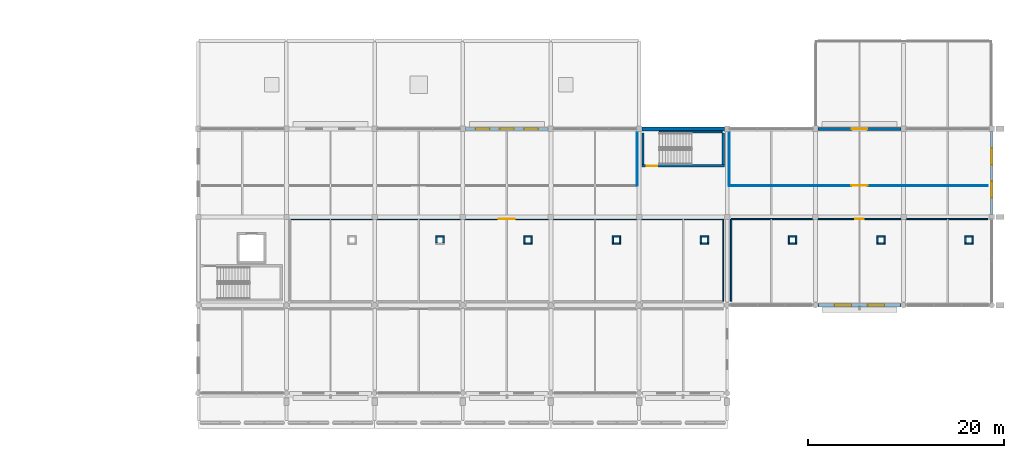
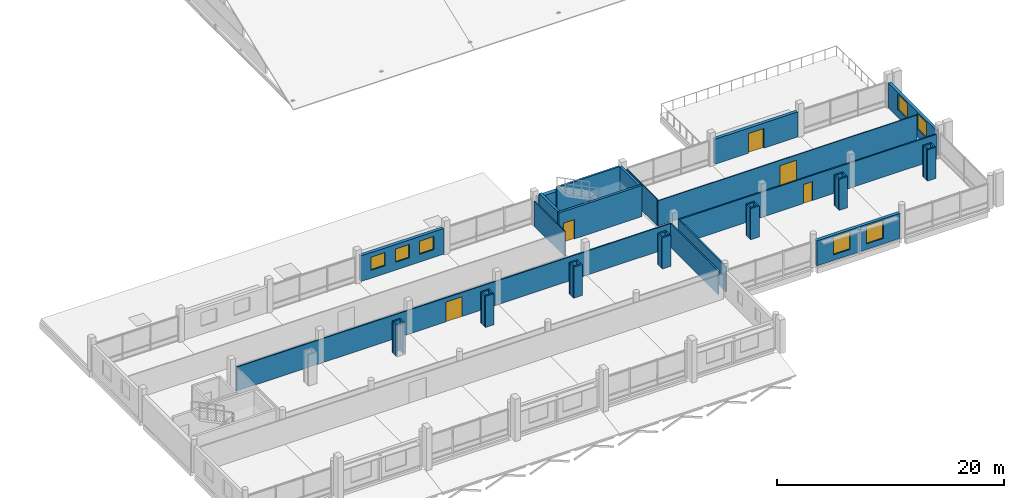
# One storey, part 111 of 132: 43 walls, 7 windows, 5 doors, 12 openings.
"""IFC4 building model written with IfcOpenShell, lengths in metres."""

from ifc_helpers import new_model, si_unit, direction, frame, frame_2d, origin, place, context, subcontext, project, spatial, rectangle, extrude, material, layer, layer_set, type_object, element, fill, save


model = new_model("IFC4")

# Units and contexts
model_context = context("Model", 3, precision=1e-05, world=origin(), true_north=direction((0.0, 1.0)))
body_context = subcontext(model_context, "Body", "Model", "MODEL_VIEW")
ifc_project = project(units=[si_unit("LENGTHUNIT", "METRE"), si_unit("AREAUNIT", "SQUARE_METRE"), si_unit("VOLUMEUNIT", "CUBIC_METRE"), si_unit("PLANEANGLEUNIT", "RADIAN"), si_unit("MASSUNIT", "GRAM", prefix="KILO")], contexts=[model_context])

# Site, building, storey
site_placement = place(None, origin())
site = spatial("IfcSite", under=ifc_project, at=site_placement, CompositionType="ELEMENT")
building_placement = place(site_placement, origin())
building = spatial("IfcBuilding", under=site, at=building_placement, Name="Tharagai Park Tramway Depot", CompositionType="ELEMENT")
storey_placement = place(building_placement, frame((0.0, 0.0, 4.800048828125)))
storey = spatial("IfcBuildingStorey", under=building, at=storey_placement, Name="L01", CompositionType="ELEMENT", Elevation=4.800048828125)

# Wall
ifc_material_1 = material(Name="Charnockite stone", Category="masonry")
ifc_layer_1 = layer(ifc_material_1, 0.419921875)
ifc_layer_set_1 = layer_set([ifc_layer_1], Name="Charnockite stone")
wall_type_1 = type_object("IfcWallType", Name="EW-07", PredefinedType="SOLIDWALL", material=ifc_layer_set_1)
wall_1_placement = place(storey_placement, frame((180.27294921875, 27.0, 0.0), z_axis=(0.0, 0.0, 1.0), x_axis=(1.0, 0.0, 0.0)))
element("IfcWall", 1, at=wall_1_placement, inside=storey, type_object=wall_type_1, Name="L01 V5 Exterior Masonry Wall EW-07", PredefinedType="SOLIDWALL", context=body_context, shape_type="SweptSolid", body=[
    extrude(rectangle(XDim=8.4541015625, YDim=0.419921875, at=frame_2d((4.22705078125, 0.0))), origin(), (0.0, 0.0, 1.0), 2.761962890625),
])

# Wall, openings, windows
ifc_material_2 = material(Name="Pressed clay brick", Category="masonry")
ifc_layer_2 = layer(ifc_material_2, 0.300048828125)
ifc_layer_set_2 = layer_set([ifc_layer_2], Name="Pressed clay brick")
wall_type_2 = type_object("IfcWallType", Name="EW-08", PredefinedType="SOLIDWALL", material=ifc_layer_set_2)
wall_2_placement = place(storey_placement, frame((216.0, 18.27294921875, 0.0), z_axis=(0.0, 0.0, 1.0), x_axis=(0.0, 1.0, 0.0)))
wall_2 = element("IfcWall", 2, at=wall_2_placement, inside=storey, type_object=wall_type_2, Name="L01 V5 Exterior Masonry Wall EW-08", PredefinedType="SOLIDWALL", context=body_context, shape_type="SweptSolid", body=[
    extrude(rectangle(XDim=8.4541015625, YDim=0.300048828125, at=frame_2d((4.22705078125, 0.0))), origin(), (0.0, 0.0, 1.0), 2.701904296875),
])
opening_1_placement = place(wall_2_placement, frame((1.697998046875, 0.0, 0.85009765625)))
opening_1 = element("IfcOpeningElement", 3, at=opening_1_placement, cuts=wall_2, Name="Opening WN-38", PredefinedType="OPENING", context=body_context, shape_type="SweptSolid", body=[
    extrude(rectangle(XDim=1.679931640625, YDim=1.659912109375, at=frame_2d((0.83984375, 0.830078125))), frame((0.0, 0.159912109375, 0.0), z_axis=(0.0, -1.0, 0.0), x_axis=(1.0, 0.0, 0.0)), (0.0, 0.0, 1.0), 0.320068359375),
])
opening_2_placement = place(wall_2_placement, frame((5.075927734375, 0.0, 0.85009765625)))
opening_2 = element("IfcOpeningElement", 4, at=opening_2_placement, cuts=wall_2, Name="Opening WN-38", PredefinedType="OPENING", context=body_context, shape_type="SweptSolid", body=[
    extrude(rectangle(XDim=1.679931640625, YDim=1.659912109375, at=frame_2d((0.83984375, 0.830078125))), frame((0.0, 0.159912109375, 0.0), z_axis=(0.0, -1.0, 0.0), x_axis=(1.0, 0.0, 0.0)), (0.0, 0.0, 1.0), 0.320068359375),
])
ifc_material_3 = material(Name="Laminated solar-control glass", Category="glass")
window_type_1 = type_object("IfcWindowType", Name="WN-38", PartitioningType="SINGLE_PANEL", PredefinedType="WINDOW", material=ifc_material_3)
window_1_placement = place(opening_1_placement, origin())
window_1 = element("IfcWindow", 5, at=window_1_placement, inside=storey, type_object=window_type_1, Name="L01 V5 Side Lancet Window WN-38", OverallHeight=1.659912109375, OverallWidth=1.679931640625, PartitioningType="SINGLE_PANEL", PredefinedType="WINDOW", context=body_context, shape_type="SweptSolid", body=[
    extrude(rectangle(XDim=1.679931640625, YDim=1.659912109375, at=frame_2d((0.83984375, 0.830078125))), frame((0.0, 0.030029296875, 0.0), z_axis=(0.0, -1.0, 0.0), x_axis=(1.0, 0.0, 0.0)), (0.0, 0.0, 1.0), 0.06005859375),
])
fill(opening_1, window_1)
window_2_placement = place(opening_2_placement, origin())
window_2 = element("IfcWindow", 6, at=window_2_placement, inside=storey, type_object=window_type_1, Name="L01 V5 Side Lancet Window WN-38", OverallHeight=1.659912109375, OverallWidth=1.679931640625, PartitioningType="SINGLE_PANEL", PredefinedType="WINDOW", context=body_context, shape_type="SweptSolid", body=[
    extrude(rectangle(XDim=1.679931640625, YDim=1.659912109375, at=frame_2d((0.83984375, 0.830078125))), frame((0.0, 0.030029296875, 0.0), z_axis=(0.0, -1.0, 0.0), x_axis=(1.0, 0.0, 0.0)), (0.0, 0.0, 1.0), 0.06005859375),
])
fill(opening_2, window_2)

ifc_layer_3 = layer(ifc_material_2, 0.320068359375)
ifc_layer_set_3 = layer_set([ifc_layer_3], Name="Pressed clay brick")
wall_type_3 = type_object("IfcWallType", Name="EW-09", PredefinedType="SOLIDWALL", material=ifc_layer_set_3)
wall_3_placement = place(storey_placement, frame((198.27294921875, 9.0, 0.0), z_axis=(0.0, 0.0, 1.0), x_axis=(1.0, 0.0, 0.0)))
wall_3 = element("IfcWall", 7, at=wall_3_placement, inside=storey, type_object=wall_type_3, Name="L01 V5 Exterior Masonry Wall EW-09", PredefinedType="SOLIDWALL", context=body_context, shape_type="SweptSolid", body=[
    extrude(rectangle(XDim=8.4541015625, YDim=0.320068359375, at=frame_2d((4.22705078125, 0.0))), origin(), (0.0, 0.0, 1.0), 2.701904296875),
])
opening_3_placement = place(wall_3_placement, frame((1.68505859375, 0.0, 0.60009765625)))
opening_3 = element("IfcOpeningElement", 8, at=opening_3_placement, cuts=wall_3, Name="Opening WN-21", PredefinedType="OPENING", context=body_context, shape_type="SweptSolid", body=[
    extrude(rectangle(XDim=1.699951171875, YDim=1.919921875, at=frame_2d((0.85009765625, 0.9599609375))), frame((0.0, 0.169921875, 0.0), z_axis=(0.0, -1.0, 0.0), x_axis=(1.0, 0.0, 0.0)), (0.0, 0.0, 1.0), 0.340087890625),
])
opening_4_placement = place(wall_3_placement, frame((5.069091796875, 0.0, 0.60009765625)))
opening_4 = element("IfcOpeningElement", 9, at=opening_4_placement, cuts=wall_3, Name="Opening WN-21", PredefinedType="OPENING", context=body_context, shape_type="SweptSolid", body=[
    extrude(rectangle(XDim=1.699951171875, YDim=1.919921875, at=frame_2d((0.85009765625, 0.9599609375))), frame((0.0, 0.169921875, 0.0), z_axis=(0.0, -1.0, 0.0), x_axis=(1.0, 0.0, 0.0)), (0.0, 0.0, 1.0), 0.340087890625),
])
window_type_2 = type_object("IfcWindowType", Name="WN-21", PartitioningType="SINGLE_PANEL", PredefinedType="WINDOW", material=ifc_material_3)
window_3_placement = place(opening_3_placement, origin())
window_3 = element("IfcWindow", 10, at=window_3_placement, inside=storey, type_object=window_type_2, Name="L01 V5 Gothic Lancet Window WN-21", OverallHeight=1.919921875, OverallWidth=1.699951171875, PartitioningType="SINGLE_PANEL", PredefinedType="WINDOW", context=body_context, shape_type="SweptSolid", body=[
    extrude(rectangle(XDim=1.699951171875, YDim=1.919921875, at=frame_2d((0.85009765625, 0.9599609375))), frame((0.0, 0.030029296875, 0.0), z_axis=(0.0, -1.0, 0.0), x_axis=(1.0, 0.0, 0.0)), (0.0, 0.0, 1.0), 0.06005859375),
])
fill(opening_3, window_3)
window_4_placement = place(opening_4_placement, origin())
window_4 = element("IfcWindow", 11, at=window_4_placement, inside=storey, type_object=window_type_2, Name="L01 V5 Gothic Lancet Window WN-21", OverallHeight=1.919921875, OverallWidth=1.699951171875, PartitioningType="SINGLE_PANEL", PredefinedType="WINDOW", context=body_context, shape_type="SweptSolid", body=[
    extrude(rectangle(XDim=1.699951171875, YDim=1.919921875, at=frame_2d((0.85009765625, 0.9599609375))), frame((0.0, 0.030029296875, 0.0), z_axis=(0.0, -1.0, 0.0), x_axis=(1.0, 0.0, 0.0)), (0.0, 0.0, 1.0), 0.06005859375),
])
fill(opening_4, window_4)

wall_4_placement = place(storey_placement, frame((162.27294921875, 27.0, 0.0), z_axis=(0.0, 0.0, 1.0), x_axis=(1.0, 0.0, 0.0)))
wall_4 = element("IfcWall", 12, at=wall_4_placement, inside=storey, type_object=wall_type_3, Name="L01 V5 Exterior Masonry Wall EW-09", PredefinedType="SOLIDWALL", context=body_context, shape_type="SweptSolid", body=[
    extrude(rectangle(XDim=8.4541015625, YDim=0.320068359375, at=frame_2d((4.22705078125, 0.0))), origin(), (0.0, 0.0, 1.0), 2.761962890625),
])
opening_5_placement = place(wall_4_placement, frame((1.033935546875, 0.0, 0.85009765625)))
opening_5 = element("IfcOpeningElement", 13, at=opening_5_placement, cuts=wall_4, Name="Opening WN-25", PredefinedType="OPENING", context=body_context, shape_type="SweptSolid", body=[
    extrude(rectangle(XDim=1.43994140625, YDim=1.419921875, at=frame_2d((0.719970703125, 0.7099609375))), frame((0.0, 0.169921875, 0.0), z_axis=(0.0, -1.0, 0.0), x_axis=(1.0, 0.0, 0.0)), (0.0, 0.0, 1.0), 0.340087890625),
])
opening_6_placement = place(wall_4_placement, frame((3.507080078125, 0.0, 0.85009765625)))
opening_6 = element("IfcOpeningElement", 14, at=opening_6_placement, cuts=wall_4, Name="Opening WN-25", PredefinedType="OPENING", context=body_context, shape_type="SweptSolid", body=[
    extrude(rectangle(XDim=1.43994140625, YDim=1.419921875, at=frame_2d((0.719970703125, 0.7099609375))), frame((0.0, 0.169921875, 0.0), z_axis=(0.0, -1.0, 0.0), x_axis=(1.0, 0.0, 0.0)), (0.0, 0.0, 1.0), 0.340087890625),
])
opening_7_placement = place(wall_4_placement, frame((5.98095703125, 0.0, 0.85009765625)))
opening_7 = element("IfcOpeningElement", 15, at=opening_7_placement, cuts=wall_4, Name="Opening WN-25", PredefinedType="OPENING", context=body_context, shape_type="SweptSolid", body=[
    extrude(rectangle(XDim=1.43994140625, YDim=1.419921875, at=frame_2d((0.719970703125, 0.7099609375))), frame((0.0, 0.169921875, 0.0), z_axis=(0.0, -1.0, 0.0), x_axis=(1.0, 0.0, 0.0)), (0.0, 0.0, 1.0), 0.340087890625),
])
window_type_3 = type_object("IfcWindowType", Name="WN-25", PartitioningType="SINGLE_PANEL", PredefinedType="WINDOW", material=ifc_material_3)
window_5_placement = place(opening_5_placement, origin())
window_5 = element("IfcWindow", 16, at=window_5_placement, inside=storey, type_object=window_type_3, Name="L01 V5 Gothic Lancet Window WN-25", OverallHeight=1.419921875, OverallWidth=1.43994140625, PartitioningType="SINGLE_PANEL", PredefinedType="WINDOW", context=body_context, shape_type="SweptSolid", body=[
    extrude(rectangle(XDim=1.43994140625, YDim=1.419921875, at=frame_2d((0.719970703125, 0.7099609375))), frame((0.0, 0.030029296875, 0.0), z_axis=(0.0, -1.0, 0.0), x_axis=(1.0, 0.0, 0.0)), (0.0, 0.0, 1.0), 0.06005859375),
])
fill(opening_5, window_5)
window_6_placement = place(opening_6_placement, origin())
window_6 = element("IfcWindow", 17, at=window_6_placement, inside=storey, type_object=window_type_3, Name="L01 V5 Gothic Lancet Window WN-25", OverallHeight=1.419921875, OverallWidth=1.43994140625, PartitioningType="SINGLE_PANEL", PredefinedType="WINDOW", context=body_context, shape_type="SweptSolid", body=[
    extrude(rectangle(XDim=1.43994140625, YDim=1.419921875, at=frame_2d((0.719970703125, 0.7099609375))), frame((0.0, 0.030029296875, 0.0), z_axis=(0.0, -1.0, 0.0), x_axis=(1.0, 0.0, 0.0)), (0.0, 0.0, 1.0), 0.06005859375),
])
fill(opening_6, window_6)
window_7_placement = place(opening_7_placement, origin())
window_7 = element("IfcWindow", 18, at=window_7_placement, inside=storey, type_object=window_type_3, Name="L01 V5 Gothic Lancet Window WN-25", OverallHeight=1.419921875, OverallWidth=1.43994140625, PartitioningType="SINGLE_PANEL", PredefinedType="WINDOW", context=body_context, shape_type="SweptSolid", body=[
    extrude(rectangle(XDim=1.43994140625, YDim=1.419921875, at=frame_2d((0.719970703125, 0.7099609375))), frame((0.0, 0.030029296875, 0.0), z_axis=(0.0, -1.0, 0.0), x_axis=(1.0, 0.0, 0.0)), (0.0, 0.0, 1.0), 0.06005859375),
])
fill(opening_7, window_7)

# Wall, opening, door
wall_5_placement = place(storey_placement, frame((198.27294921875, 27.0, 0.0), z_axis=(0.0, 0.0, 1.0), x_axis=(1.0, 0.0, 0.0)))
wall_5 = element("IfcWall", 19, at=wall_5_placement, inside=storey, type_object=wall_type_3, Name="L01 V5 Exterior Masonry Wall EW-09", PredefinedType="SOLIDWALL", context=body_context, shape_type="SweptSolid", body=[
    extrude(rectangle(XDim=8.4541015625, YDim=0.320068359375, at=frame_2d((4.22705078125, 0.0))), origin(), (0.0, 0.0, 1.0), 2.701904296875),
])
opening_8_placement = place(wall_5_placement, frame((3.45703125, 0.0, 0.0)))
opening_8 = element("IfcOpeningElement", 20, at=opening_8_placement, cuts=wall_5, Name="Opening ED-04", PredefinedType="OPENING", context=body_context, shape_type="SweptSolid", body=[
    extrude(rectangle(XDim=1.5400390625, YDim=2.1201171875, at=frame_2d((0.77001953125, 1.06005859375))), frame((0.0, 0.169921875, 0.0), z_axis=(0.0, -1.0, 0.0), x_axis=(1.0, 0.0, 0.0)), (0.0, 0.0, 1.0), 0.340087890625),
])
ifc_material_4 = material(Name="Anodised aluminium", Category="aluminium")
door_type_1 = type_object("IfcDoorType", Name="ED-04", OperationType="DOUBLE_SWING_LEFT", PredefinedType="DOOR", material=ifc_material_4)
door_1_placement = place(opening_8_placement, origin())
door_1 = element("IfcDoor", 21, at=door_1_placement, inside=storey, type_object=door_type_1, Name="T-L01-V5 Terrace Access Door", OperationType="DOUBLE_SWING_LEFT", OverallHeight=2.1201171875, OverallWidth=1.5400390625, PredefinedType="DOOR", context=body_context, shape_type="SweptSolid", body=[
    extrude(rectangle(XDim=1.5400390625, YDim=2.1201171875, at=frame_2d((0.77001953125, 1.06005859375))), frame((0.0, 0.02490234375, 0.0), z_axis=(0.0, -1.0, 0.0), x_axis=(1.0, 0.0, 0.0)), (0.0, 0.0, 1.0), 0.050048828125),
])
fill(opening_8, door_1)

ifc_layer_4 = layer(ifc_material_2, 0.139892578125)
ifc_layer_set_4 = layer_set([ifc_layer_4], Name="Pressed clay brick")
wall_type_4 = type_object("IfcWallType", Name="IW-01", PredefinedType="PARTITIONING", material=ifc_layer_set_4)
wall_6_placement = place(storey_placement, frame((189.39990234375, 17.800048828125, 0.0), z_axis=(0.0, 0.0, 1.0), x_axis=(1.0, 0.0, 0.0)))
wall_6 = element("IfcWall", 22, at=wall_6_placement, inside=storey, type_object=wall_type_4, Name="Gallery Accessible WC Partition North", PredefinedType="PARTITIONING", context=body_context, shape_type="SweptSolid", body=[
    extrude(rectangle(XDim=26.2001953125, YDim=0.139892578125, at=frame_2d((13.10009765625, 0.0))), origin(), (0.0, 0.0, 1.0), 2.704833984375),
])
opening_9_placement = place(wall_6_placement, frame((12.64501953125, 0.0, 0.0)))
opening_9 = element("IfcOpeningElement", 23, at=opening_9_placement, cuts=wall_6, Name="Opening ID-08", PredefinedType="OPENING", context=body_context, shape_type="SweptSolid", body=[
    extrude(rectangle(XDim=0.909912109375, YDim=2.0400390625, at=frame_2d((0.455078125, 1.02001953125))), frame((0.0, 0.079833984375, 0.0), z_axis=(0.0, -1.0, 0.0), x_axis=(1.0, 0.0, 0.0)), (0.0, 0.0, 1.0), 0.159912109375),
])
ifc_material_5 = material(Name="Pressed timber", Category="wood")
door_type_2 = type_object("IfcDoorType", Name="ID-08", OperationType="NOTDEFINED", PredefinedType="DOOR", material=ifc_material_5)
door_2_placement = place(opening_9_placement, origin())
door_2 = element("IfcDoor", 24, at=door_2_placement, inside=storey, type_object=door_type_2, Name="Gallery Accessible WC Door", OperationType="SINGLE_SWING_LEFT", OverallHeight=2.0400390625, OverallWidth=0.909912109375, PredefinedType="DOOR", context=body_context, shape_type="SweptSolid", body=[
    extrude(rectangle(XDim=0.909912109375, YDim=2.0400390625, at=frame_2d((0.455078125, 1.02001953125))), frame((0.0, 0.02490234375, 0.0), z_axis=(0.0, -1.0, 0.0), x_axis=(1.0, 0.0, 0.0)), (0.0, 0.0, 1.0), 0.050048828125),
])
fill(opening_9, door_2)

# Walls
wall_7_placement = place(storey_placement, frame((189.39990234375, 9.39990234375, 0.0), z_axis=(0.0, 0.0, 1.0), x_axis=(0.0, 1.0, 0.0)))
element("IfcWall", 25, at=wall_7_placement, inside=storey, type_object=wall_type_4, Name="Gallery Accessible WC Partition West", PredefinedType="PARTITIONING", context=body_context, shape_type="SweptSolid", body=[
    extrude(rectangle(XDim=8.400146484375, YDim=0.139892578125, at=frame_2d((4.2001953125, 0.0))), origin(), (0.0, 0.0, 1.0), 2.704833984375),
])
ifc_layer_5 = layer(ifc_material_2, 0.159912109375)
ifc_layer_set_5 = layer_set([ifc_layer_5], Name="Pressed clay brick")
wall_type_5 = type_object("IfcWallType", Name="IW-02", PredefinedType="PARTITIONING", material=ifc_layer_set_5)
wall_8_placement = place(storey_placement, frame((159.239990234375, 16.030029296875, 0.0), z_axis=(0.0, 0.0, 1.0), x_axis=(1.0, 0.0, 0.0)))
element("IfcWall", 26, at=wall_8_placement, inside=storey, type_object=wall_type_5, Name="L01 Pipe Riser Enclosure Wall 32 N", PredefinedType="PARTITIONING", context=body_context, shape_type="SweptSolid", body=[
    extrude(rectangle(XDim=0.8701171875, YDim=0.159912109375, at=frame_2d((0.43505859375, 0.0))), origin(), (0.0, 0.0, 1.0), 3.349853515625),
])
for number, where, z_axis, x_axis, name in (
    (27, (159.320068359375, 15.39990234375, 0.0), (0.0, 0.0, 1.0), (0.0, 1.0, 0.0), "L01 Pipe Riser Enclosure Wall 32 W"),
    (28, (160.030029296875, 15.39990234375, 0.0), (0.0, 0.0, 1.0), (0.0, 1.0, 0.0), "L01 Pipe Riser Enclosure Wall 32 E"),
):
    element("IfcWall", number, at=place(storey_placement, frame(where, z_axis=z_axis, x_axis=x_axis)), inside=storey, type_object=wall_type_5, Name=name, PredefinedType="PARTITIONING", context=body_context, shape_type="SweptSolid", body=[
        extrude(rectangle(XDim=0.550048828125, YDim=0.159912109375, at=frame_2d((0.27490234375, 0.0))), origin(), (0.0, 0.0, 1.0), 3.349853515625),
    ])
for number, where, z_axis, x_axis, name in (
    (29, (168.239990234375, 15.320068359375, 0.0), (0.0, 0.0, 1.0), (1.0, 0.0, 0.0), "L01 Pipe Riser Enclosure Wall 33 S"),
    (30, (168.239990234375, 16.030029296875, 0.0), (0.0, 0.0, 1.0), (1.0, 0.0, 0.0), "L01 Pipe Riser Enclosure Wall 33 N"),
):
    element("IfcWall", number, at=place(storey_placement, frame(where, z_axis=z_axis, x_axis=x_axis)), inside=storey, type_object=wall_type_5, Name=name, PredefinedType="PARTITIONING", context=body_context, shape_type="SweptSolid", body=[
        extrude(rectangle(XDim=0.8701171875, YDim=0.159912109375, at=frame_2d((0.43505859375, 0.0))), origin(), (0.0, 0.0, 1.0), 3.349853515625),
    ])
for number, where, z_axis, x_axis, name in (
    (31, (168.320068359375, 15.39990234375, 0.0), (0.0, 0.0, 1.0), (0.0, 1.0, 0.0), "L01 Pipe Riser Enclosure Wall 33 W"),
    (32, (169.030029296875, 15.39990234375, 0.0), (0.0, 0.0, 1.0), (0.0, 1.0, 0.0), "L01 Pipe Riser Enclosure Wall 33 E"),
):
    element("IfcWall", number, at=place(storey_placement, frame(where, z_axis=z_axis, x_axis=x_axis)), inside=storey, type_object=wall_type_5, Name=name, PredefinedType="PARTITIONING", context=body_context, shape_type="SweptSolid", body=[
        extrude(rectangle(XDim=0.550048828125, YDim=0.159912109375, at=frame_2d((0.27490234375, 0.0))), origin(), (0.0, 0.0, 1.0), 3.349853515625),
    ])
for number, where, z_axis, x_axis, name in (
    (33, (177.239990234375, 15.320068359375, 0.0), (0.0, 0.0, 1.0), (1.0, 0.0, 0.0), "L01 Pipe Riser Enclosure Wall 34 S"),
    (34, (177.239990234375, 16.030029296875, 0.0), (0.0, 0.0, 1.0), (1.0, 0.0, 0.0), "L01 Pipe Riser Enclosure Wall 34 N"),
):
    element("IfcWall", number, at=place(storey_placement, frame(where, z_axis=z_axis, x_axis=x_axis)), inside=storey, type_object=wall_type_5, Name=name, PredefinedType="PARTITIONING", context=body_context, shape_type="SweptSolid", body=[
        extrude(rectangle(XDim=0.8701171875, YDim=0.159912109375, at=frame_2d((0.43505859375, 0.0))), origin(), (0.0, 0.0, 1.0), 3.349853515625),
    ])
for number, where, z_axis, x_axis, name in (
    (35, (177.320068359375, 15.39990234375, 0.0), (0.0, 0.0, 1.0), (0.0, 1.0, 0.0), "L01 Pipe Riser Enclosure Wall 34 W"),
    (36, (178.030029296875, 15.39990234375, 0.0), (0.0, 0.0, 1.0), (0.0, 1.0, 0.0), "L01 Pipe Riser Enclosure Wall 34 E"),
):
    element("IfcWall", number, at=place(storey_placement, frame(where, z_axis=z_axis, x_axis=x_axis)), inside=storey, type_object=wall_type_5, Name=name, PredefinedType="PARTITIONING", context=body_context, shape_type="SweptSolid", body=[
        extrude(rectangle(XDim=0.550048828125, YDim=0.159912109375, at=frame_2d((0.27490234375, 0.0))), origin(), (0.0, 0.0, 1.0), 3.349853515625),
    ])
for number, where, z_axis, x_axis, name in (
    (37, (186.239990234375, 15.320068359375, 0.0), (0.0, 0.0, 1.0), (1.0, 0.0, 0.0), "L01 Pipe Riser Enclosure Wall 35 S"),
    (38, (186.239990234375, 16.030029296875, 0.0), (0.0, 0.0, 1.0), (1.0, 0.0, 0.0), "L01 Pipe Riser Enclosure Wall 35 N"),
):
    element("IfcWall", number, at=place(storey_placement, frame(where, z_axis=z_axis, x_axis=x_axis)), inside=storey, type_object=wall_type_5, Name=name, PredefinedType="PARTITIONING", context=body_context, shape_type="SweptSolid", body=[
        extrude(rectangle(XDim=0.8701171875, YDim=0.159912109375, at=frame_2d((0.43505859375, 0.0))), origin(), (0.0, 0.0, 1.0), 3.349853515625),
    ])
for number, where, z_axis, x_axis, name in (
    (39, (186.320068359375, 15.39990234375, 0.0), (0.0, 0.0, 1.0), (0.0, 1.0, 0.0), "L01 Pipe Riser Enclosure Wall 35 W"),
    (40, (187.030029296875, 15.39990234375, 0.0), (0.0, 0.0, 1.0), (0.0, 1.0, 0.0), "L01 Pipe Riser Enclosure Wall 35 E"),
):
    element("IfcWall", number, at=place(storey_placement, frame(where, z_axis=z_axis, x_axis=x_axis)), inside=storey, type_object=wall_type_5, Name=name, PredefinedType="PARTITIONING", context=body_context, shape_type="SweptSolid", body=[
        extrude(rectangle(XDim=0.550048828125, YDim=0.159912109375, at=frame_2d((0.27490234375, 0.0))), origin(), (0.0, 0.0, 1.0), 3.349853515625),
    ])
for number, where, z_axis, x_axis, name in (
    (41, (195.239990234375, 15.320068359375, 0.0), (0.0, 0.0, 1.0), (1.0, 0.0, 0.0), "L01 Pipe Riser Enclosure Wall 36 S"),
    (42, (195.239990234375, 16.030029296875, 0.0), (0.0, 0.0, 1.0), (1.0, 0.0, 0.0), "L01 Pipe Riser Enclosure Wall 36 N"),
):
    element("IfcWall", number, at=place(storey_placement, frame(where, z_axis=z_axis, x_axis=x_axis)), inside=storey, type_object=wall_type_5, Name=name, PredefinedType="PARTITIONING", context=body_context, shape_type="SweptSolid", body=[
        extrude(rectangle(XDim=0.8701171875, YDim=0.159912109375, at=frame_2d((0.43505859375, 0.0))), origin(), (0.0, 0.0, 1.0), 3.349853515625),
    ])
for number, where, z_axis, x_axis, name in (
    (43, (195.320068359375, 15.39990234375, 0.0), (0.0, 0.0, 1.0), (0.0, 1.0, 0.0), "L01 Pipe Riser Enclosure Wall 36 W"),
    (44, (196.030029296875, 15.39990234375, 0.0), (0.0, 0.0, 1.0), (0.0, 1.0, 0.0), "L01 Pipe Riser Enclosure Wall 36 E"),
):
    element("IfcWall", number, at=place(storey_placement, frame(where, z_axis=z_axis, x_axis=x_axis)), inside=storey, type_object=wall_type_5, Name=name, PredefinedType="PARTITIONING", context=body_context, shape_type="SweptSolid", body=[
        extrude(rectangle(XDim=0.550048828125, YDim=0.159912109375, at=frame_2d((0.27490234375, 0.0))), origin(), (0.0, 0.0, 1.0), 3.349853515625),
    ])
for number, where, z_axis, x_axis, name in (
    (45, (204.239990234375, 15.320068359375, 0.0), (0.0, 0.0, 1.0), (1.0, 0.0, 0.0), "L01 Pipe Riser Enclosure Wall 37 S"),
    (46, (204.239990234375, 16.030029296875, 0.0), (0.0, 0.0, 1.0), (1.0, 0.0, 0.0), "L01 Pipe Riser Enclosure Wall 37 N"),
):
    element("IfcWall", number, at=place(storey_placement, frame(where, z_axis=z_axis, x_axis=x_axis)), inside=storey, type_object=wall_type_5, Name=name, PredefinedType="PARTITIONING", context=body_context, shape_type="SweptSolid", body=[
        extrude(rectangle(XDim=0.8701171875, YDim=0.159912109375, at=frame_2d((0.43505859375, 0.0))), origin(), (0.0, 0.0, 1.0), 3.349853515625),
    ])
for number, where, z_axis, x_axis, name in (
    (47, (204.320068359375, 15.39990234375, 0.0), (0.0, 0.0, 1.0), (0.0, 1.0, 0.0), "L01 Pipe Riser Enclosure Wall 37 W"),
    (48, (205.030029296875, 15.39990234375, 0.0), (0.0, 0.0, 1.0), (0.0, 1.0, 0.0), "L01 Pipe Riser Enclosure Wall 37 E"),
):
    element("IfcWall", number, at=place(storey_placement, frame(where, z_axis=z_axis, x_axis=x_axis)), inside=storey, type_object=wall_type_5, Name=name, PredefinedType="PARTITIONING", context=body_context, shape_type="SweptSolid", body=[
        extrude(rectangle(XDim=0.550048828125, YDim=0.159912109375, at=frame_2d((0.27490234375, 0.0))), origin(), (0.0, 0.0, 1.0), 3.349853515625),
    ])
for number, where, z_axis, x_axis, name in (
    (49, (213.239990234375, 15.320068359375, 0.0), (0.0, 0.0, 1.0), (1.0, 0.0, 0.0), "L01 Pipe Riser Enclosure Wall 38 S"),
    (50, (213.239990234375, 16.030029296875, 0.0), (0.0, 0.0, 1.0), (1.0, 0.0, 0.0), "L01 Pipe Riser Enclosure Wall 38 N"),
):
    element("IfcWall", number, at=place(storey_placement, frame(where, z_axis=z_axis, x_axis=x_axis)), inside=storey, type_object=wall_type_5, Name=name, PredefinedType="PARTITIONING", context=body_context, shape_type="SweptSolid", body=[
        extrude(rectangle(XDim=0.8701171875, YDim=0.159912109375, at=frame_2d((0.43505859375, 0.0))), origin(), (0.0, 0.0, 1.0), 3.349853515625),
    ])
for number, where, z_axis, x_axis, name in (
    (51, (213.320068359375, 15.39990234375, 0.0), (0.0, 0.0, 1.0), (0.0, 1.0, 0.0), "L01 Pipe Riser Enclosure Wall 38 W"),
    (52, (214.030029296875, 15.39990234375, 0.0), (0.0, 0.0, 1.0), (0.0, 1.0, 0.0), "L01 Pipe Riser Enclosure Wall 38 E"),
):
    element("IfcWall", number, at=place(storey_placement, frame(where, z_axis=z_axis, x_axis=x_axis)), inside=storey, type_object=wall_type_5, Name=name, PredefinedType="PARTITIONING", context=body_context, shape_type="SweptSolid", body=[
        extrude(rectangle(XDim=0.550048828125, YDim=0.159912109375, at=frame_2d((0.27490234375, 0.0))), origin(), (0.0, 0.0, 1.0), 3.349853515625),
    ])

# Wall, opening, door
ifc_material_6 = material(Name="Gypsum board", Category="gypsum")
ifc_layer_6 = layer(ifc_material_6, 0.1201171875)
ifc_layer_set_6 = layer_set([ifc_layer_6], Name="Gypsum board")
wall_type_6 = type_object("IfcWallType", Name="IW-03", PredefinedType="PARTITIONING", material=ifc_layer_set_6)
wall_9_placement = place(storey_placement, frame((144.39990234375, 17.800048828125, 0.0), z_axis=(0.0, 0.0, 1.0), x_axis=(1.0, 0.0, 0.0)))
wall_9 = element("IfcWall", 53, at=wall_9_placement, inside=storey, type_object=wall_type_6, Name="Curatorial Conservation Studio Partition North", PredefinedType="PARTITIONING", context=body_context, shape_type="SweptSolid", body=[
    extrude(rectangle(XDim=44.2001953125, YDim=0.1201171875, at=frame_2d((22.10009765625, 0.0))), origin(), (0.0, 0.0, 1.0), 2.5849609375),
])
opening_10_placement = place(wall_9_placement, frame((21.2900390625, 0.0, 0.0)))
opening_10 = element("IfcOpeningElement", 54, at=opening_10_placement, cuts=wall_9, Name="Opening ID-01", PredefinedType="OPENING", context=body_context, shape_type="SweptSolid", body=[
    extrude(rectangle(XDim=1.6201171875, YDim=2.139892578125, at=frame_2d((0.81005859375, 1.06982421875))), frame((0.0, 0.070068359375, 0.0), z_axis=(0.0, -1.0, 0.0), x_axis=(1.0, 0.0, 0.0)), (0.0, 0.0, 1.0), 0.14013671875),
])
door_type_3 = type_object("IfcDoorType", Name="ID-01", OperationType="DOUBLE_SWING_LEFT", PredefinedType="DOOR", material=ifc_material_4)
door_3_placement = place(opening_10_placement, origin())
door_3 = element("IfcDoor", 55, at=door_3_placement, inside=storey, type_object=door_type_3, Name="Curatorial Conservation Studio Door", OperationType="DOUBLE_SWING_LEFT", OverallHeight=2.139892578125, OverallWidth=1.6201171875, PredefinedType="DOOR", context=body_context, shape_type="SweptSolid", body=[
    extrude(rectangle(XDim=1.6201171875, YDim=2.139892578125, at=frame_2d((0.81005859375, 1.06982421875))), frame((0.0, 0.02490234375, 0.0), z_axis=(0.0, -1.0, 0.0), x_axis=(1.0, 0.0, 0.0)), (0.0, 0.0, 1.0), 0.050048828125),
])
fill(opening_10, door_3)

# Walls
wall_10_placement = place(storey_placement, frame((188.60009765625, 9.39990234375, 0.0), z_axis=(0.0, 0.0, 1.0), x_axis=(0.0, 1.0, 0.0)))
element("IfcWall", 56, at=wall_10_placement, inside=storey, type_object=wall_type_6, Name="Curatorial Conservation Studio Partition East", PredefinedType="PARTITIONING", context=body_context, shape_type="SweptSolid", body=[
    extrude(rectangle(XDim=8.400146484375, YDim=0.1201171875, at=frame_2d((4.2001953125, 0.0))), origin(), (0.0, 0.0, 1.0), 2.5849609375),
])
ifc_layer_7 = layer(ifc_material_3, 0.090087890625)
ifc_layer_set_7 = layer_set([ifc_layer_7], Name="Laminated solar-control glass")
wall_type_7 = type_object("IfcWallType", Name="IW-04", PredefinedType="MOVABLE", material=ifc_layer_set_7)
wall_11_placement = place(storey_placement, frame((179.800048828125, 21.199951171875, 0.0), z_axis=(0.0, 0.0, 1.0), x_axis=(0.0, 1.0, 0.0)))
element("IfcWall", 57, at=wall_11_placement, inside=storey, type_object=wall_type_7, Name="Madras Electric Tramway History Gallery Partition East", PredefinedType="MOVABLE", context=body_context, shape_type="SweptSolid", body=[
    extrude(rectangle(XDim=5.400146484375, YDim=0.090087890625, at=frame_2d((2.7001953125, 0.0))), origin(), (0.0, 0.0, 1.0), 2.68505859375),
])

# Wall, opening, door
wall_12_placement = place(storey_placement, frame((189.199951171875, 21.199951171875, 0.0), z_axis=(0.0, 0.0, 1.0), x_axis=(1.0, 0.0, 0.0)))
wall_12 = element("IfcWall", 58, at=wall_12_placement, inside=storey, type_object=wall_type_7, Name="Gallery Terrace Reading Room Partition South", PredefinedType="MOVABLE", context=body_context, shape_type="SweptSolid", body=[
    extrude(rectangle(XDim=26.400146484375, YDim=0.090087890625, at=frame_2d((13.2001953125, 0.0))), origin(), (0.0, 0.0, 1.0), 2.704833984375),
])
opening_11_placement = place(wall_12_placement, frame((12.4599609375, 0.0, 0.0)))
opening_11 = element("IfcOpeningElement", 59, at=opening_11_placement, cuts=wall_12, Name="Opening ID-09", PredefinedType="OPENING", context=body_context, shape_type="SweptSolid", body=[
    extrude(rectangle(XDim=1.679931640625, YDim=2.139892578125, at=frame_2d((0.83984375, 1.06982421875))), frame((0.0, 0.054931640625, 0.0), z_axis=(0.0, -1.0, 0.0), x_axis=(1.0, 0.0, 0.0)), (0.0, 0.0, 1.0), 0.110107421875),
])
door_type_4 = type_object("IfcDoorType", Name="ID-09", OperationType="DOUBLE_SWING_LEFT", PredefinedType="DOOR", material=ifc_material_4)
door_4_placement = place(opening_11_placement, frame((1.679931640625, 0.0, 0.0), z_axis=(0.0, 0.0, 1.0), x_axis=(-1.0, 0.0, 0.0)))
door_4 = element("IfcDoor", 60, at=door_4_placement, inside=storey, type_object=door_type_4, Name="Gallery Terrace Reading Room Door", OperationType="DOUBLE_SWING_LEFT", OverallHeight=2.139892578125, OverallWidth=1.679931640625, PredefinedType="DOOR", context=body_context, shape_type="SweptSolid", body=[
    extrude(rectangle(XDim=1.679931640625, YDim=2.139892578125, at=frame_2d((0.83984375, 1.06982421875))), frame((0.0, 0.02490234375, 0.0), z_axis=(0.0, -1.0, 0.0), x_axis=(1.0, 0.0, 0.0)), (0.0, 0.0, 1.0), 0.050048828125),
])
fill(opening_11, door_4)

# Wall
wall_13_placement = place(storey_placement, frame((189.199951171875, 21.199951171875, 0.0), z_axis=(0.0, 0.0, 1.0), x_axis=(0.0, 1.0, 0.0)))
element("IfcWall", 61, at=wall_13_placement, inside=storey, type_object=wall_type_7, Name="Gallery Terrace Reading Room Partition West", PredefinedType="MOVABLE", context=body_context, shape_type="SweptSolid", body=[
    extrude(rectangle(XDim=5.400146484375, YDim=0.090087890625, at=frame_2d((2.7001953125, 0.0))), origin(), (0.0, 0.0, 1.0), 2.864990234375),
])

# Wall, opening, door
ifc_material_7 = material(Name="Concrete M40", Category="concrete")
ifc_layer_8 = layer(ifc_material_7, 0.239990234375)
ifc_layer_set_8 = layer_set([ifc_layer_8], Name="Concrete M40")
wall_type_8 = type_object("IfcWallType", Name="SW-01", PredefinedType="SHEAR", material=ifc_layer_set_8)
wall_14_placement = place(storey_placement, frame((180.280029296875, 23.22998046875, 0.0), z_axis=(0.0, 0.0, 1.0), x_axis=(1.0, 0.0, 0.0)))
wall_14 = element("IfcWall", 62, at=wall_14_placement, inside=storey, type_object=wall_type_8, Name="Core C7 L01 Shear Wall South", PredefinedType="SHEAR", context=body_context, shape_type="SweptSolid", body=[
    extrude(rectangle(XDim=8.43994140625, YDim=0.239990234375, at=frame_2d((4.219970703125, 0.0))), origin(), (0.0, 0.0, 1.0), 3.349853515625),
])
opening_12_placement = place(wall_14_placement, frame((0.47998046875, 0.0, 0.0)))
opening_12 = element("IfcOpeningElement", 63, at=opening_12_placement, cuts=wall_14, Name="Opening ID-05", PredefinedType="OPENING", context=body_context, shape_type="SweptSolid", body=[
    extrude(rectangle(XDim=1.080078125, YDim=2.080078125, at=frame_2d((0.5400390625, 1.0400390625))), frame((0.0, 0.1298828125, 0.0), z_axis=(0.0, -1.0, 0.0), x_axis=(1.0, 0.0, 0.0)), (0.0, 0.0, 1.0), 0.260009765625),
])
ifc_material_8 = material(Name="Galvanised steel", Category="steel")
door_type_5 = type_object("IfcDoorType", Name="ID-05", OperationType="NOTDEFINED", PredefinedType="DOOR", material=ifc_material_8)
door_5_placement = place(opening_12_placement, origin())
door_5 = element("IfcDoor", 64, at=door_5_placement, inside=storey, type_object=door_type_5, Name="Stair ST-07 L01 Fire Door", OperationType="SINGLE_SWING_LEFT", OverallHeight=2.080078125, OverallWidth=1.080078125, PredefinedType="DOOR", context=body_context, shape_type="SweptSolid", body=[
    extrude(rectangle(XDim=1.080078125, YDim=2.080078125, at=frame_2d((0.5400390625, 1.0400390625))), frame((0.0, 0.02490234375, 0.0), z_axis=(0.0, -1.0, 0.0), x_axis=(1.0, 0.0, 0.0)), (0.0, 0.0, 1.0), 0.050048828125),
])
fill(opening_12, door_5)

# Walls
for number, where, z_axis, x_axis, name in (
    (65, (180.39990234375, 23.35009765625, 0.0), (0.0, 0.0, 1.0), (0.0, 1.0, 0.0), "Core C7 L01 Shear Wall West"),
    (66, (188.60009765625, 23.35009765625, 0.0), (0.0, 0.0, 1.0), (0.0, 1.0, 0.0), "Core C7 L01 Shear Wall East"),
):
    element("IfcWall", number, at=place(storey_placement, frame(where, z_axis=z_axis, x_axis=x_axis)), inside=storey, type_object=wall_type_8, Name=name, PredefinedType="SHEAR", context=body_context, shape_type="SweptSolid", body=[
        extrude(rectangle(XDim=3.25, YDim=0.239990234375, at=frame_2d((1.625, 0.0))), origin(), (0.0, 0.0, 1.0), 3.349853515625),
    ])
ifc_layer_9 = layer(ifc_material_7, 0.199951171875)
ifc_layer_set_9 = layer_set([ifc_layer_9], Name="Concrete M40")
wall_type_9 = type_object("IfcWallType", Name="SW-02", PredefinedType="SHEAR", material=ifc_layer_set_9)
wall_15_placement = place(storey_placement, frame((182.070068359375, 26.68505859375, 0.0), z_axis=(0.0, 0.0, 1.0), x_axis=(1.0, 0.0, 0.0)))
element("IfcWall", 67, at=wall_15_placement, inside=storey, type_object=wall_type_9, Name="Core C7 L01 Shear Bearing Liner North", PredefinedType="SHEAR", context=body_context, shape_type="SweptSolid", body=[
    extrude(rectangle(XDim=6.409912109375, YDim=0.199951171875, at=frame_2d((3.205078125, 0.0))), origin(), (0.0, 0.0, 1.0), 3.349853515625),
])

save(model, "model.ifc")
